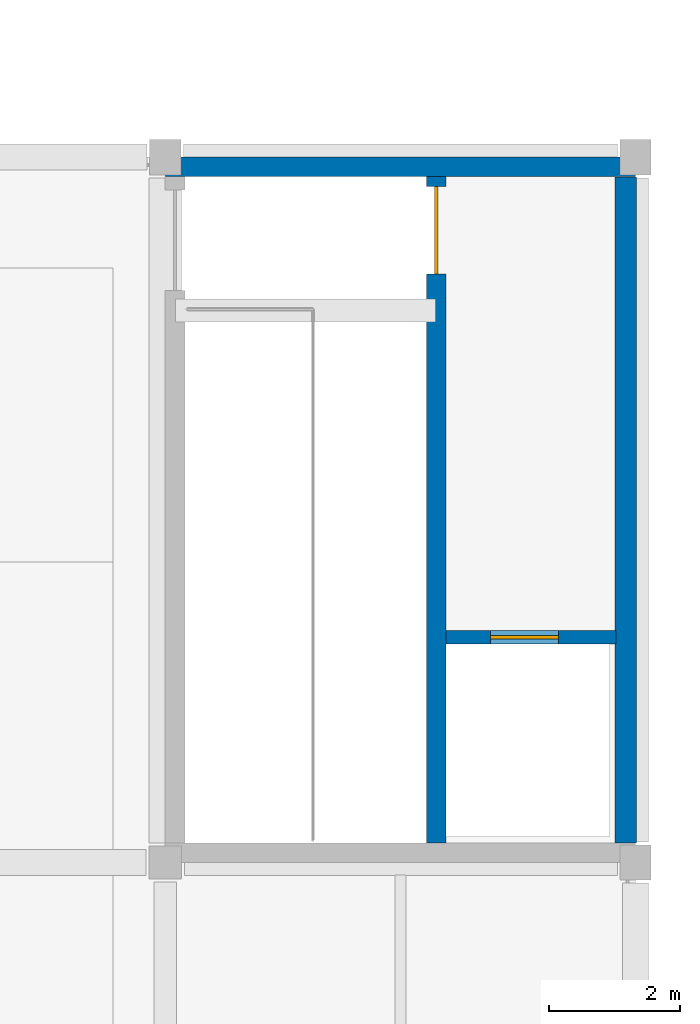
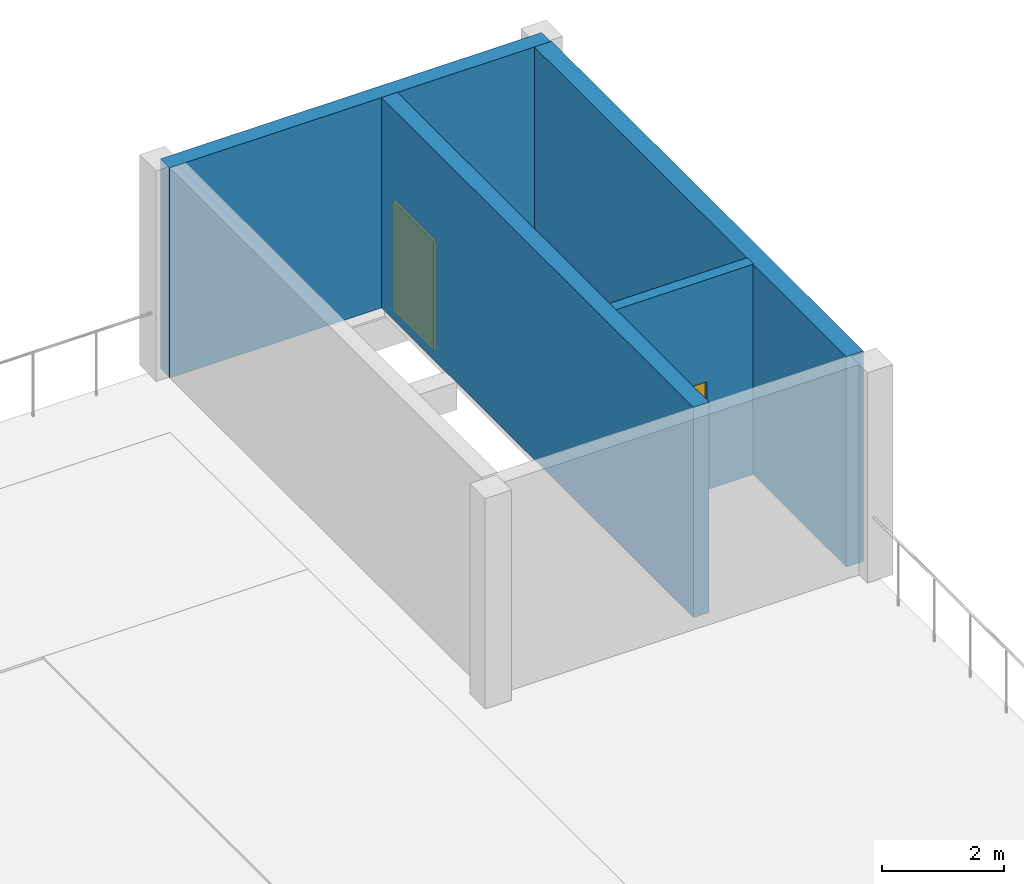
# One storey, part 61 of 72: 4 walls, 2 doors, 2 openings.
"""IFC4 building model written with IfcOpenShell, lengths in metres."""

from ifc_helpers import new_model, si_unit, direction, frame, frame_2d, origin, place, context, subcontext, project, spatial, rectangle, extrude, material, layer, layer_set, type_object, element, fill, save


model = new_model("IFC4")

# Units and contexts
model_context = context("Model", 3, precision=1e-05, world=origin(), true_north=direction((0.0, 1.0)))
body_context = subcontext(model_context, "Body", "Model", "MODEL_VIEW")
ifc_project = project(units=[si_unit("LENGTHUNIT", "METRE"), si_unit("AREAUNIT", "SQUARE_METRE"), si_unit("VOLUMEUNIT", "CUBIC_METRE"), si_unit("PLANEANGLEUNIT", "RADIAN"), si_unit("MASSUNIT", "GRAM", prefix="KILO")], contexts=[model_context])

# Site, building, storey
site_placement = place(None, origin())
site = spatial("IfcSite", under=ifc_project, at=site_placement, CompositionType="ELEMENT")
building_placement = place(site_placement, origin())
building = spatial("IfcBuilding", under=site, at=building_placement, Name="Lusvemor Sports Hall", CompositionType="ELEMENT")
storey_placement = place(building_placement, frame((0.0, 0.0, 15.0)))
storey = spatial("IfcBuildingStorey", under=building, at=storey_placement, Name="L03", CompositionType="ELEMENT", Elevation=15.0)

# Wall, opening, door
ifc_material_1 = material(Name="Concrete C40/50", Category="concrete")
ifc_layer_1 = layer(ifc_material_1, 0.2099609375)
ifc_layer_set_1 = layer_set([ifc_layer_1], Name="Concrete C40/50")
wall_type_1 = type_object("IfcWallType", Name="IW_SHFT_212", PredefinedType="STANDARD", material=ifc_layer_set_1)
wall_1_placement = place(storey_placement, frame((166.300048828125, 107.85009765625, 0.0), z_axis=(0.0, 0.0, 1.0), x_axis=(1.0, 0.0, 0.0)))
wall_1 = element("IfcWall", 1, at=wall_1_placement, inside=storey, type_object=wall_type_1, Name="Lift LP-03 Shaft Front Wall (L03)", PredefinedType="STANDARD", context=body_context, shape_type="SweptSolid", body=[
    extrude(rectangle(XDim=2.599853515625, YDim=0.2099609375, at=frame_2d((1.2998046875, 0.0))), origin(), (0.0, 0.0, 1.0), 4.199951171875),
])
opening_1_placement = place(wall_1_placement, frame((0.679931640625, 0.0, 0.0)))
opening_1 = element("IfcOpeningElement", 2, at=opening_1_placement, cuts=wall_1, Name="Opening LD-02", PredefinedType="OPENING", context=body_context, shape_type="SweptSolid", body=[
    extrude(rectangle(XDim=1.0400390625, YDim=2.159912109375, at=frame_2d((0.52001953125, 1.080078125))), frame((0.0, 0.10498046875, 0.0), z_axis=(0.0, -1.0, 0.0), x_axis=(1.0, 0.0, 0.0)), (0.0, 0.0, 1.0), 0.2099609375),
])
ifc_material_2 = material(Name="Brushed stainless-steel sliding lift landing door", Category="steel")
door_type_1 = type_object("IfcDoorType", Name="LIFT_DOOR_PAX_104", OperationType="NOTDEFINED", PredefinedType="DOOR", material=ifc_material_2)
door_1_placement = place(opening_1_placement, origin())
door_1 = element("IfcDoor", 3, at=door_1_placement, inside=storey, type_object=door_type_1, Name="DR-101", OperationType="SLIDING_TO_LEFT", OverallHeight=2.159912109375, OverallWidth=1.0400390625, PredefinedType="DOOR", context=body_context, shape_type="SweptSolid", body=[
    extrude(rectangle(XDim=1.0400390625, YDim=2.159912109375, at=frame_2d((0.52001953125, 1.080078125))), frame((0.0, 0.02490234375, 0.0), z_axis=(0.0, -1.0, 0.0), x_axis=(1.0, 0.0, 0.0)), (0.0, 0.0, 1.0), 0.050048828125),
])
fill(opening_1, door_1)

# Wall
ifc_material_3 = material(Name="Concrete C40/50", Category="concrete")
ifc_layer_2 = layer(ifc_material_3, 0.300048828125)
ifc_layer_set_2 = layer_set([ifc_layer_2], Name="Concrete C40/50")
wall_type_2 = type_object("IfcWallType", Name="WALL_CORE_300_INT", PredefinedType="SHEAR", material=ifc_layer_set_2)
wall_2_placement = place(storey_placement, frame((162.0, 115.050048828125, 0.0), z_axis=(0.0, 0.0, 1.0), x_axis=(1.0, 0.0, 0.0)))
element("IfcWall", 4, at=wall_2_placement, inside=storey, type_object=wall_type_2, Name="Core C5 Northeast Shear Wall N (L03)", PredefinedType="SHEAR", context=body_context, shape_type="SweptSolid", body=[
    extrude(rectangle(XDim=7.199951171875, YDim=0.300048828125, at=frame_2d((3.60009765625, 0.0))), origin(), (0.0, 0.0, 1.0), 4.199951171875),
])

# Wall, opening, door
wall_3_placement = place(storey_placement, frame((166.14990234375, 104.699951171875, 0.0), z_axis=(0.0, 0.0, 1.0), x_axis=(0.0, 1.0, 0.0)))
wall_3 = element("IfcWall", 5, at=wall_3_placement, inside=storey, type_object=wall_type_2, Name="Core C5 Northeast Shear Wall M (L03)", PredefinedType="SHEAR", context=body_context, shape_type="SweptSolid", body=[
    extrude(rectangle(XDim=10.199951171875, YDim=0.300048828125, at=frame_2d((5.10009765625, 0.0))), origin(), (0.0, 0.0, 1.0), 4.199951171875),
])
opening_2_placement = place(wall_3_placement, frame((8.7099609375, 0.0, 0.0)))
opening_2 = element("IfcOpeningElement", 6, at=opening_2_placement, cuts=wall_3, Name="Opening DR-FD90-02", PredefinedType="OPENING", context=body_context, shape_type="SweptSolid", body=[
    extrude(rectangle(XDim=1.340087890625, YDim=2.179931640625, at=frame_2d((0.669921875, 1.08984375))), frame((0.0, 0.14990234375, 0.0), z_axis=(0.0, -1.0, 0.0), x_axis=(1.0, 0.0, 0.0)), (0.0, 0.0, 1.0), 0.300048828125),
])
ifc_material_4 = material(Name="Fire-rated insulated painted steel door assembly", Category="steel")
door_type_2 = type_object("IfcDoorType", Name="IDR_STAIR_FD90_134", OperationType="NOTDEFINED", PredefinedType="DOOR", material=ifc_material_4)
door_2_placement = place(opening_2_placement, origin())
door_2 = element("IfcDoor", 7, at=door_2_placement, inside=storey, type_object=door_type_2, Name="DR-108", OperationType="SINGLE_SWING_RIGHT", OverallHeight=2.179931640625, OverallWidth=1.340087890625, PredefinedType="DOOR", context=body_context, shape_type="SweptSolid", body=[
    extrude(rectangle(XDim=1.340087890625, YDim=2.179931640625, at=frame_2d((0.669921875, 1.08984375))), frame((0.0, 0.02490234375, 0.0), z_axis=(0.0, -1.0, 0.0), x_axis=(1.0, 0.0, 0.0)), (0.0, 0.0, 1.0), 0.050048828125),
])
fill(opening_2, door_2)

# Wall
ifc_material_5 = material(Name="Concrete C40/50", Category="concrete")
ifc_layer_3 = layer(ifc_material_5, 0.324951171875)
ifc_layer_set_3 = layer_set([ifc_layer_3], Name="Concrete C40/50")
wall_type_3 = type_object("IfcWallType", Name="WALL_CORE_325_EXT", PredefinedType="SHEAR", material=ifc_layer_set_3)
wall_4_placement = place(storey_placement, frame((169.050048828125, 114.89990234375, 0.0), z_axis=(0.0, 0.0, 1.0), x_axis=(0.0, -1.0, 0.0)))
element("IfcWall", 8, at=wall_4_placement, inside=storey, type_object=wall_type_3, Name="Core C5 Northeast Shear Wall E (L03)", PredefinedType="SHEAR", context=body_context, shape_type="SweptSolid", body=[
    extrude(rectangle(XDim=10.199951171875, YDim=0.324951171875, at=frame_2d((5.10009765625, 0.0))), origin(), (0.0, 0.0, 1.0), 4.199951171875),
])

save(model, "model.ifc")
